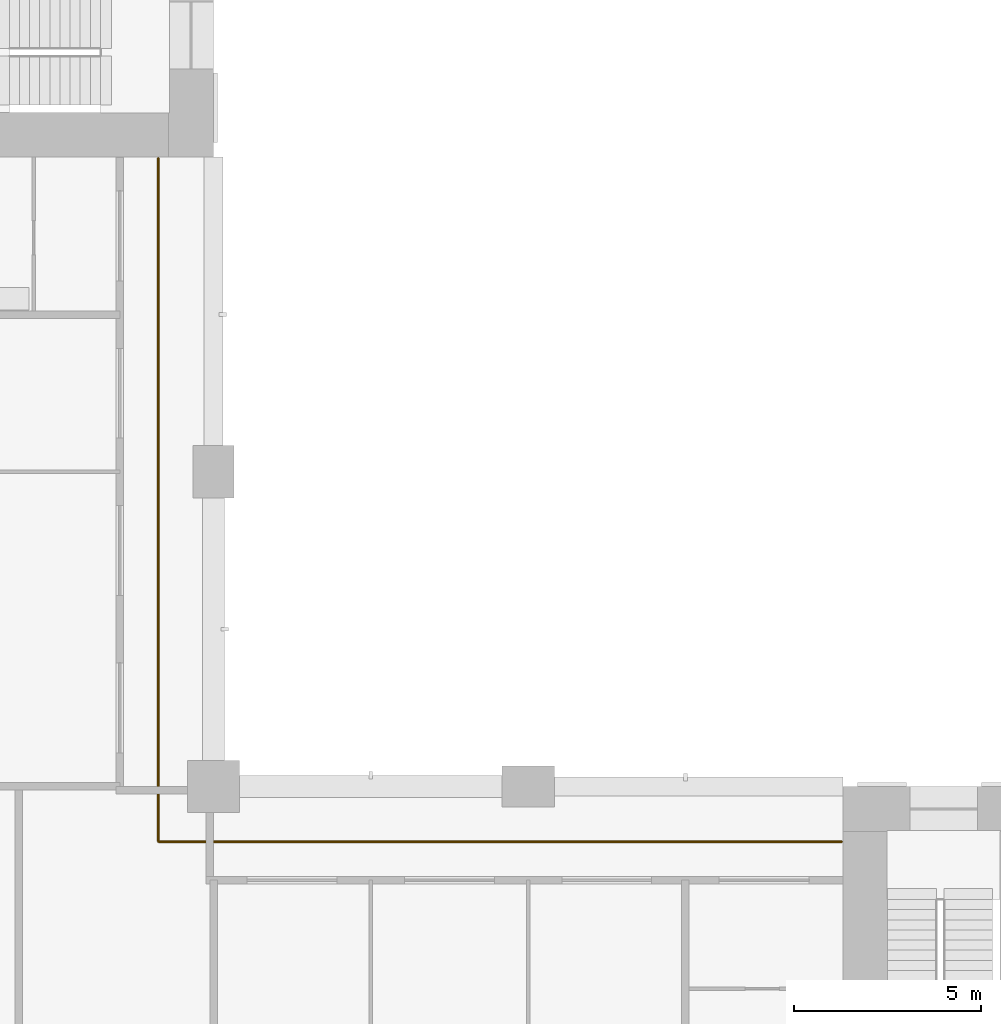
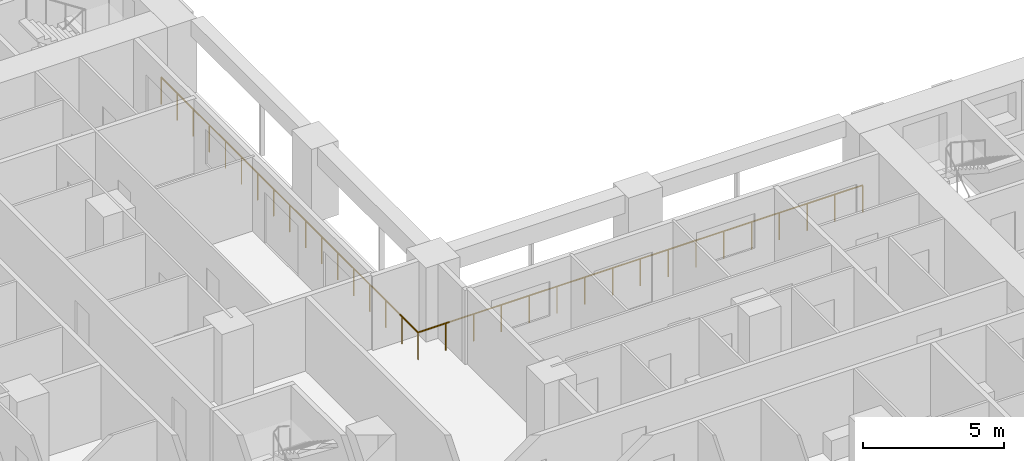
# One storey, part 17 of 19: 1 railing.
"""IFC4 building model written with IfcOpenShell, lengths in metres."""

from ifc_helpers import new_model, si_unit, direction, frame, origin, origin_2d, place, context, subcontext, project, spatial, circle, extrude, material, type_object, element, save


model = new_model("IFC4")

# Units and contexts
model_context = context("Model", 3, precision=1e-05, world=origin(), true_north=direction((0.0, 1.0)))
body_context = subcontext(model_context, "Body", "Model", "MODEL_VIEW")
ifc_project = project(units=[si_unit("LENGTHUNIT", "METRE"), si_unit("AREAUNIT", "SQUARE_METRE"), si_unit("VOLUMEUNIT", "CUBIC_METRE"), si_unit("PLANEANGLEUNIT", "RADIAN"), si_unit("MASSUNIT", "GRAM", prefix="KILO")], contexts=[model_context])

# Site, building, storey
site_placement = place(None, origin())
site = spatial("IfcSite", under=ifc_project, at=site_placement, CompositionType="ELEMENT")
building_placement = place(site_placement, origin())
building = spatial("IfcBuilding", under=site, at=building_placement, Name="Vermilion Gate Residences", CompositionType="ELEMENT")
storey_placement = place(building_placement, frame((0.0, 0.0, 49.699951171875)))
storey = spatial("IfcBuildingStorey", under=building, at=storey_placement, Name="L11", CompositionType="ELEMENT", Elevation=49.699951171875)

# Railing
ifc_material = material(Name="Stainless steel and toughened glass", Category="steel")
railing_type = type_object("IfcRailingType", Name="LOGGIA GUARD STEEL AND GLASS 1200", PredefinedType="GUARDRAIL", material=ifc_material)
railing_placement = place(storey_placement, frame((41.97802734375, 23.72509765625, 0.0)))
element("IfcRailing", 1, at=railing_placement, inside=storey, type_object=railing_type, Name="Loggia guard", PredefinedType="GUARDRAIL", context=body_context, shape_type="SweptSolid", body=[
    extrude(circle(Radius=0.030029296875, at=origin_2d()), frame((0.0, 0.0, 1.169921875), z_axis=(-1.0, 0.0, 0.0), x_axis=(0.0, -1.0, 0.0)), (0.0, 0.0, 1.0), 18.2529296875),
    extrude(circle(Radius=0.030029296875, at=origin_2d()), frame((-18.2529296875, 0.0, 1.169921875), z_axis=(0.0, 1.0, 0.0), x_axis=(-1.0, 0.0, 0.0)), (0.0, 0.0, 1.0), 18.2529296875),
    extrude(circle(Radius=0.02490234375, at=origin_2d()), origin(), (0.0, 0.0, 1.0), 1.139892578125),
    extrude(circle(Radius=0.02490234375, at=origin_2d()), frame((-1.140869140625, 0.0, 0.0)), (0.0, 0.0, 1.0), 1.139892578125),
    extrude(circle(Radius=0.02490234375, at=origin_2d()), frame((-2.28173828125, 0.0, 0.0)), (0.0, 0.0, 1.0), 1.139892578125),
    extrude(circle(Radius=0.02490234375, at=origin_2d()), frame((-3.42236328125, 0.0, 0.0)), (0.0, 0.0, 1.0), 1.139892578125),
    extrude(circle(Radius=0.02490234375, at=origin_2d()), frame((-4.563232421875, 0.0, 0.0)), (0.0, 0.0, 1.0), 1.139892578125),
    extrude(circle(Radius=0.02490234375, at=origin_2d()), frame((-5.7041015625, 0.0, 0.0)), (0.0, 0.0, 1.0), 1.139892578125),
    extrude(circle(Radius=0.02490234375, at=origin_2d()), frame((-6.8447265625, 0.0, 0.0)), (0.0, 0.0, 1.0), 1.139892578125),
    extrude(circle(Radius=0.02490234375, at=origin_2d()), frame((-7.985595703125, 0.0, 0.0)), (0.0, 0.0, 1.0), 1.139892578125),
    extrude(circle(Radius=0.02490234375, at=origin_2d()), frame((-9.12646484375, 0.0, 0.0)), (0.0, 0.0, 1.0), 1.139892578125),
    extrude(circle(Radius=0.02490234375, at=origin_2d()), frame((-10.267333984375, 0.0, 0.0)), (0.0, 0.0, 1.0), 1.139892578125),
    extrude(circle(Radius=0.02490234375, at=origin_2d()), frame((-11.408203125, 0.0, 0.0)), (0.0, 0.0, 1.0), 1.139892578125),
    extrude(circle(Radius=0.02490234375, at=origin_2d()), frame((-12.548828125, 0.0, 0.0)), (0.0, 0.0, 1.0), 1.139892578125),
    extrude(circle(Radius=0.02490234375, at=origin_2d()), frame((-13.689697265625, 0.0, 0.0)), (0.0, 0.0, 1.0), 1.139892578125),
    extrude(circle(Radius=0.02490234375, at=origin_2d()), frame((-14.83056640625, 0.0, 0.0)), (0.0, 0.0, 1.0), 1.139892578125),
    extrude(circle(Radius=0.02490234375, at=origin_2d()), frame((-15.97119140625, 0.0, 0.0)), (0.0, 0.0, 1.0), 1.139892578125),
    extrude(circle(Radius=0.02490234375, at=origin_2d()), frame((-17.112060546875, 0.0, 0.0)), (0.0, 0.0, 1.0), 1.139892578125),
    extrude(circle(Radius=0.02490234375, at=origin_2d()), frame((-18.2529296875, 0.0, 0.0)), (0.0, 0.0, 1.0), 1.139892578125),
    extrude(circle(Radius=0.02490234375, at=origin_2d()), frame((-18.2529296875, 1.140869140625, 0.0)), (0.0, 0.0, 1.0), 1.139892578125),
    extrude(circle(Radius=0.02490234375, at=origin_2d()), frame((-18.2529296875, 2.28173828125, 0.0)), (0.0, 0.0, 1.0), 1.139892578125),
    extrude(circle(Radius=0.02490234375, at=origin_2d()), frame((-18.2529296875, 3.42236328125, 0.0)), (0.0, 0.0, 1.0), 1.139892578125),
    extrude(circle(Radius=0.02490234375, at=origin_2d()), frame((-18.2529296875, 4.563232421875, 0.0)), (0.0, 0.0, 1.0), 1.139892578125),
    extrude(circle(Radius=0.02490234375, at=origin_2d()), frame((-18.2529296875, 5.7041015625, 0.0)), (0.0, 0.0, 1.0), 1.139892578125),
    extrude(circle(Radius=0.02490234375, at=origin_2d()), frame((-18.2529296875, 6.8447265625, 0.0)), (0.0, 0.0, 1.0), 1.139892578125),
    extrude(circle(Radius=0.02490234375, at=origin_2d()), frame((-18.2529296875, 7.985595703125, 0.0)), (0.0, 0.0, 1.0), 1.139892578125),
    extrude(circle(Radius=0.02490234375, at=origin_2d()), frame((-18.2529296875, 9.12646484375, 0.0)), (0.0, 0.0, 1.0), 1.139892578125),
    extrude(circle(Radius=0.02490234375, at=origin_2d()), frame((-18.2529296875, 10.267333984375, 0.0)), (0.0, 0.0, 1.0), 1.139892578125),
    extrude(circle(Radius=0.02490234375, at=origin_2d()), frame((-18.2529296875, 11.408203125, 0.0)), (0.0, 0.0, 1.0), 1.139892578125),
    extrude(circle(Radius=0.02490234375, at=origin_2d()), frame((-18.2529296875, 12.548828125, 0.0)), (0.0, 0.0, 1.0), 1.139892578125),
    extrude(circle(Radius=0.02490234375, at=origin_2d()), frame((-18.2529296875, 13.689697265625, 0.0)), (0.0, 0.0, 1.0), 1.139892578125),
    extrude(circle(Radius=0.02490234375, at=origin_2d()), frame((-18.2529296875, 14.83056640625, 0.0)), (0.0, 0.0, 1.0), 1.139892578125),
    extrude(circle(Radius=0.02490234375, at=origin_2d()), frame((-18.2529296875, 15.97119140625, 0.0)), (0.0, 0.0, 1.0), 1.139892578125),
    extrude(circle(Radius=0.02490234375, at=origin_2d()), frame((-18.2529296875, 17.112060546875, 0.0)), (0.0, 0.0, 1.0), 1.139892578125),
    extrude(circle(Radius=0.02490234375, at=origin_2d()), frame((-18.2529296875, 18.2529296875, 0.0)), (0.0, 0.0, 1.0), 1.139892578125),
])

save(model, "model.ifc")
